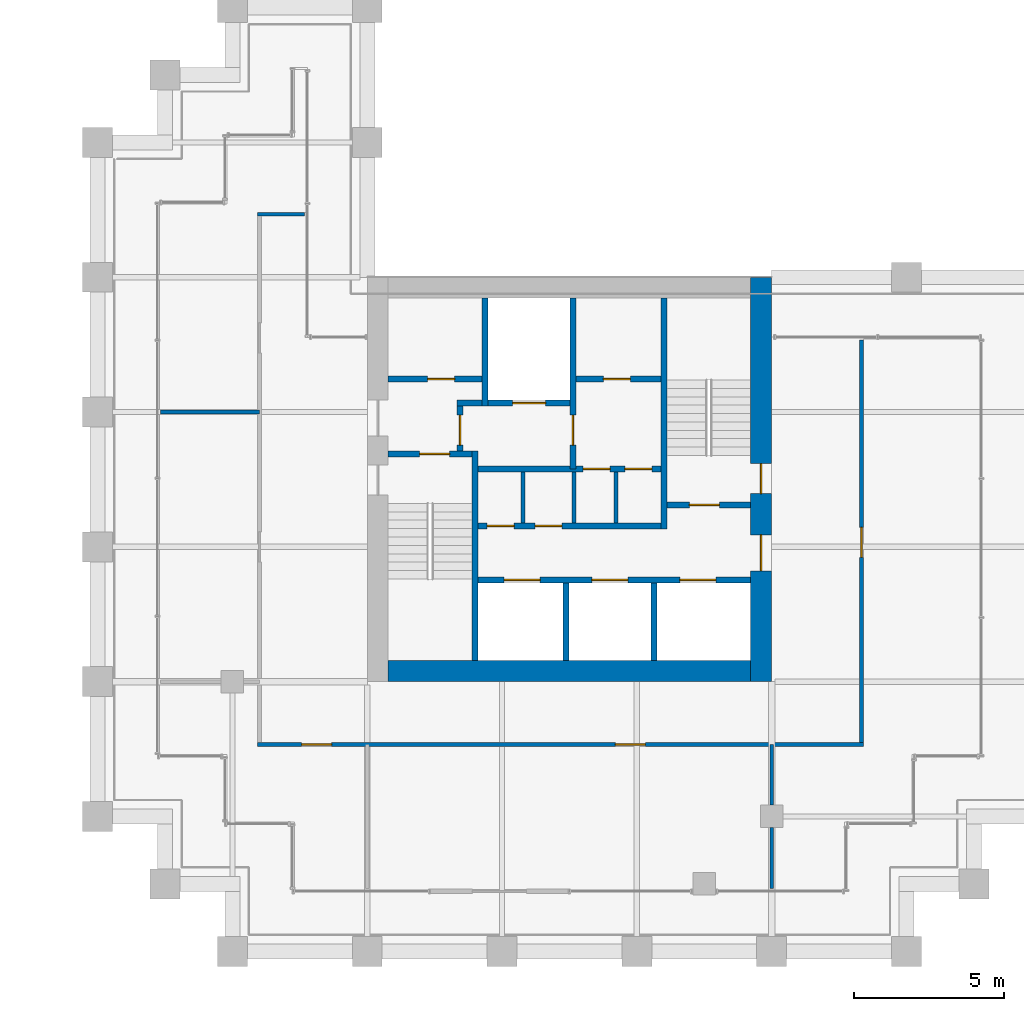
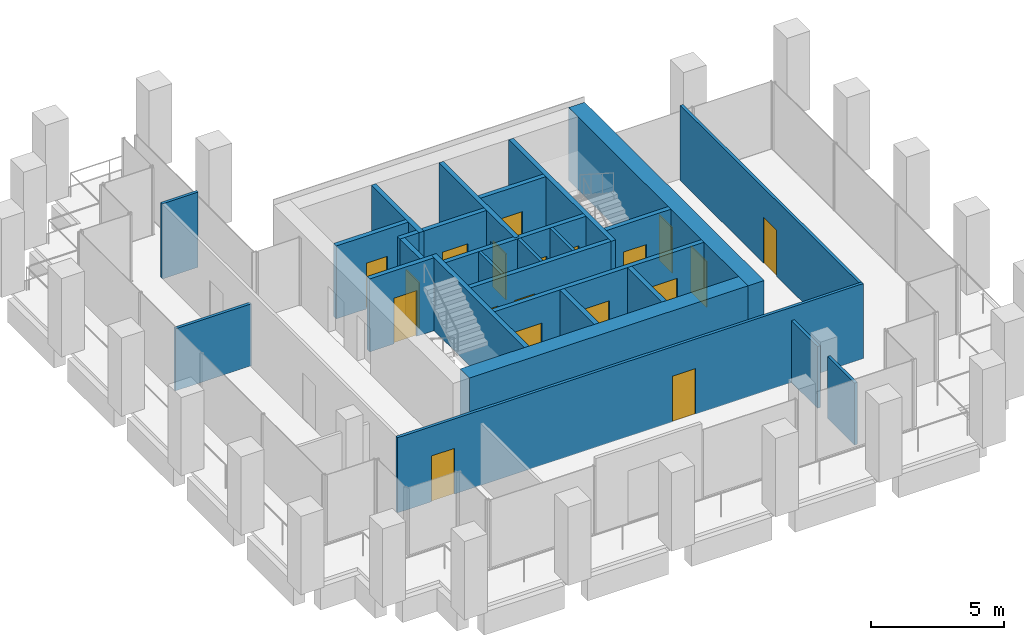
# One storey, part 43 of 46: 27 walls, 19 doors, 19 openings.
"""IFC4 building model written with IfcOpenShell, lengths in metres."""

from ifc_helpers import new_model, si_unit, direction, frame, frame_2d, origin, place, context, subcontext, project, spatial, rectangle, extrude, material, layer, layer_set, type_object, element, fill, save


model = new_model("IFC4")

# Units and contexts
model_context = context("Model", 3, precision=1e-05, world=origin(), true_north=direction((0.0, 1.0)))
body_context = subcontext(model_context, "Body", "Model", "MODEL_VIEW")
ifc_project = project(units=[si_unit("LENGTHUNIT", "METRE"), si_unit("AREAUNIT", "SQUARE_METRE"), si_unit("VOLUMEUNIT", "CUBIC_METRE"), si_unit("PLANEANGLEUNIT", "RADIAN"), si_unit("MASSUNIT", "GRAM", prefix="KILO")], contexts=[model_context])

# Site, building, storey
site_placement = place(None, origin())
site = spatial("IfcSite", under=ifc_project, at=site_placement, CompositionType="ELEMENT")
building_placement = place(site_placement, origin())
building = spatial("IfcBuilding", under=site, at=building_placement, Name="Altepetl Exchange Towers", CompositionType="ELEMENT")
storey_placement = place(building_placement, frame((0.0, 0.0, 102.800048828125)))
storey = spatial("IfcBuildingStorey", under=building, at=storey_placement, Name="L25", CompositionType="ELEMENT", Elevation=102.800048828125)

# Wall, openings, doors
ifc_material_1 = material(Name="Concrete C70/85", Category="concrete")
ifc_layer_1 = layer(ifc_material_1, 0.699951171875)
ifc_layer_set_1 = layer_set([ifc_layer_1], Name="Concrete C70/85")
wall_type_1 = type_object("IfcWallType", Name="Core wall 700 reinforced concrete", PredefinedType="SHEAR", material=ifc_layer_set_1)
wall_1_placement = place(storey_placement, frame((116.64990234375, 36.0, 0.0), z_axis=(0.0, 0.0, 1.0), x_axis=(0.0, 1.0, 0.0)))
wall_1 = element("IfcWall", 1, at=wall_1_placement, inside=storey, type_object=wall_type_1, Name="wall:B:L25:K-coreE", PredefinedType="SHEAR", context=body_context, shape_type="SweptSolid", body=[
    extrude(rectangle(XDim=13.5, YDim=0.699951171875, at=frame_2d((6.75, 0.0))), origin(), (0.0, 0.0, 1.0), 3.349853515625),
])
opening_1_placement = place(wall_1_placement, frame((3.699951171875, 0.0, 0.0)))
opening_1 = element("IfcOpeningElement", 2, at=opening_1_placement, cuts=wall_1, Name="Opening L25.B61", PredefinedType="OPENING", context=body_context, shape_type="SweptSolid", body=[
    extrude(rectangle(XDim=1.199951171875, YDim=2.10009765625, at=frame_2d((0.60009765625, 1.050048828125))), frame((0.0, 0.35986328125, 0.0), z_axis=(0.0, -1.0, 0.0), x_axis=(1.0, 0.0, 0.0)), (0.0, 0.0, 1.0), 0.719970703125),
])
opening_2_placement = place(wall_1_placement, frame((6.27490234375, 0.0, 0.0)))
opening_2 = element("IfcOpeningElement", 3, at=opening_2_placement, cuts=wall_1, Name="Opening L25.B65", PredefinedType="OPENING", context=body_context, shape_type="SweptSolid", body=[
    extrude(rectangle(XDim=1.0, YDim=2.10009765625, at=frame_2d((0.5, 1.050048828125))), frame((0.0, 0.35986328125, 0.0), z_axis=(0.0, -1.0, 0.0), x_axis=(1.0, 0.0, 0.0)), (0.0, 0.0, 1.0), 0.719970703125),
])
ifc_material_2 = material(Name="Steel and timber fire door", Category="steel")
door_type_1 = type_object("IfcDoorType", Name="Fire door 1000 x 2100 stair and lobby", OperationType="SINGLE_SWING_LEFT", PredefinedType="DOOR", material=ifc_material_2)
door_1_placement = place(opening_2_placement, origin())
door_1 = element("IfcDoor", 4, at=door_1_placement, inside=storey, type_object=door_type_1, Name="door:B:L25:K-dS2x", OperationType="SINGLE_SWING_LEFT", OverallHeight=2.10009765625, OverallWidth=1.0, PredefinedType="DOOR", context=body_context, shape_type="SweptSolid", body=[
    extrude(rectangle(XDim=1.0, YDim=2.10009765625, at=frame_2d((0.5, 1.050048828125))), frame((0.0, 0.02490234375, 0.0), z_axis=(0.0, -1.0, 0.0), x_axis=(1.0, 0.0, 0.0)), (0.0, 0.0, 1.0), 0.050048828125),
])
fill(opening_2, door_1)
door_type_2 = type_object("IfcDoorType", Name="Fire door 1200 x 2100 lobby entry", OperationType="SINGLE_SWING_LEFT", PredefinedType="DOOR", material=ifc_material_2)
door_2_placement = place(opening_1_placement, origin())
door_2 = element("IfcDoor", 5, at=door_2_placement, inside=storey, type_object=door_type_2, Name="door:B:L25:K-dLSE", OperationType="SINGLE_SWING_RIGHT", OverallHeight=2.10009765625, OverallWidth=1.199951171875, PredefinedType="DOOR", context=body_context, shape_type="SweptSolid", body=[
    extrude(rectangle(XDim=1.199951171875, YDim=2.10009765625, at=frame_2d((0.60009765625, 1.050048828125))), frame((0.0, 0.02490234375, 0.0), z_axis=(0.0, -1.0, 0.0), x_axis=(1.0, 0.0, 0.0)), (0.0, 0.0, 1.0), 0.050048828125),
])
fill(opening_1, door_2)

# Walls
wall_2_placement = place(storey_placement, frame((104.199951171875, 36.35009765625, 0.0)))
element("IfcWall", 6, at=wall_2_placement, inside=storey, type_object=wall_type_1, Name="wall:B:L25:K-coreS", PredefinedType="SHEAR", context=body_context, shape_type="SweptSolid", body=[
    extrude(rectangle(XDim=12.10009765625, YDim=0.699951171875, at=frame_2d((6.050048828125, 0.0))), origin(), (0.0, 0.0, 1.0), 3.349853515625),
])
ifc_material_3 = material(Name="Concrete blockwork", Category="masonry")
ifc_layer_2 = layer(ifc_material_3, 0.199951171875)
ifc_layer_set_2 = layer_set([ifc_layer_2], Name="Concrete blockwork")
wall_type_2 = type_object("IfcWallType", Name="Lobby wall 200 blockwork", PredefinedType="PARTITIONING", material=ifc_layer_set_2)
wall_3_placement = place(storey_placement, frame((106.5, 45.300048828125, 0.0)))
element("IfcWall", 7, at=wall_3_placement, inside=storey, type_object=wall_type_2, Name="wall:B:L25:K-ffNw", PredefinedType="PARTITIONING", context=body_context, shape_type="SweptSolid", body=[
    extrude(rectangle(XDim=0.833251953125, YDim=0.199951171875, at=frame_2d((0.41650390625, 0.0))), origin(), (0.0, 0.0, 1.0), 3.349853515625),
])

# Wall, opening, door
wall_4_placement = place(storey_placement, frame((106.60009765625, 43.699951171875, 0.0), z_axis=(0.0, 0.0, 1.0), x_axis=(0.0, 1.0, 0.0)))
wall_4 = element("IfcWall", 8, at=wall_4_placement, inside=storey, type_object=wall_type_2, Name="wall:B:L25:K-ffW", PredefinedType="PARTITIONING", context=body_context, shape_type="SweptSolid", body=[
    extrude(rectangle(XDim=1.5, YDim=0.199951171875, at=frame_2d((0.75, 0.0))), origin(), (0.0, 0.0, 1.0), 3.349853515625),
])
opening_3_placement = place(wall_4_placement, frame((0.199951171875, 0.0, 0.0)))
opening_3 = element("IfcOpeningElement", 9, at=opening_3_placement, cuts=wall_4, Name="Opening L25.B67", PredefinedType="OPENING", context=body_context, shape_type="SweptSolid", body=[
    extrude(rectangle(XDim=1.0, YDim=2.10009765625, at=frame_2d((0.5, 1.050048828125))), frame((0.0, 0.10986328125, 0.0), z_axis=(0.0, -1.0, 0.0), x_axis=(1.0, 0.0, 0.0)), (0.0, 0.0, 1.0), 0.219970703125),
])
door_3_placement = place(opening_3_placement, frame((1.0, 0.0, 0.0), x_axis=(-1.0, 0.0, 0.0)))
door_3 = element("IfcDoor", 10, at=door_3_placement, inside=storey, type_object=door_type_1, Name="door:B:L25:K-dffW", OperationType="SINGLE_SWING_LEFT", OverallHeight=2.10009765625, OverallWidth=1.0, PredefinedType="DOOR", context=body_context, shape_type="SweptSolid", body=[
    extrude(rectangle(XDim=1.0, YDim=2.10009765625, at=frame_2d((0.5, 1.050048828125))), frame((0.0, 0.02490234375, 0.0), z_axis=(0.0, -1.0, 0.0), x_axis=(1.0, 0.0, 0.0)), (0.0, 0.0, 1.0), 0.050048828125),
])
fill(opening_3, door_3)

# Wall, openings, doors
wall_5_placement = place(storey_placement, frame((107.199951171875, 43.10009765625, 0.0)))
wall_5 = element("IfcWall", 11, at=wall_5_placement, inside=storey, type_object=wall_type_2, Name="wall:B:L25:K-zoneN", PredefinedType="PARTITIONING", context=body_context, shape_type="SweptSolid", body=[
    extrude(rectangle(XDim=6.10009765625, YDim=0.199951171875, at=frame_2d((3.050048828125, 0.0))), origin(), (0.0, 0.0, 1.0), 3.349853515625),
])
opening_4_placement = place(wall_5_placement, frame((3.508544921875, 0.0, 0.0)))
opening_4 = element("IfcOpeningElement", 12, at=opening_4_placement, cuts=wall_5, Name="Opening L25.B72", PredefinedType="OPENING", context=body_context, shape_type="SweptSolid", body=[
    extrude(rectangle(XDim=0.89990234375, YDim=2.10009765625, at=frame_2d((0.449951171875, 1.050048828125))), frame((0.0, 0.10986328125, 0.0), z_axis=(0.0, -1.0, 0.0), x_axis=(1.0, 0.0, 0.0)), (0.0, 0.0, 1.0), 0.219970703125),
])
opening_5_placement = place(wall_5_placement, frame((4.89990234375, 0.0, 0.0)))
opening_5 = element("IfcOpeningElement", 13, at=opening_5_placement, cuts=wall_5, Name="Opening L25.B73", PredefinedType="OPENING", context=body_context, shape_type="SweptSolid", body=[
    extrude(rectangle(XDim=0.89990234375, YDim=2.10009765625, at=frame_2d((0.449951171875, 1.050048828125))), frame((0.0, 0.10986328125, 0.0), z_axis=(0.0, -1.0, 0.0), x_axis=(1.0, 0.0, 0.0)), (0.0, 0.0, 1.0), 0.219970703125),
])
door_type_3 = type_object("IfcDoorType", Name="Fire door 900 x 2100 service room", OperationType="SINGLE_SWING_LEFT", PredefinedType="DOOR", material=ifc_material_2)
door_4_placement = place(opening_4_placement, frame((0.89990234375, 0.0, 0.0), x_axis=(-1.0, 0.0, 0.0)))
door_4 = element("IfcDoor", 14, at=door_4_placement, inside=storey, type_object=door_type_3, Name="door:B:L25:K-dz3", OperationType="SINGLE_SWING_RIGHT", OverallHeight=2.10009765625, OverallWidth=0.89990234375, PredefinedType="DOOR", context=body_context, shape_type="SweptSolid", body=[
    extrude(rectangle(XDim=0.89990234375, YDim=2.10009765625, at=frame_2d((0.449951171875, 1.050048828125))), frame((0.0, 0.02490234375, 0.0), z_axis=(0.0, -1.0, 0.0), x_axis=(1.0, 0.0, 0.0)), (0.0, 0.0, 1.0), 0.050048828125),
])
fill(opening_4, door_4)
door_5_placement = place(opening_5_placement, frame((0.89990234375, 0.0, 0.0), x_axis=(-1.0, 0.0, 0.0)))
door_5 = element("IfcDoor", 15, at=door_5_placement, inside=storey, type_object=door_type_3, Name="door:B:L25:K-dz4", OperationType="SINGLE_SWING_RIGHT", OverallHeight=2.10009765625, OverallWidth=0.89990234375, PredefinedType="DOOR", context=body_context, shape_type="SweptSolid", body=[
    extrude(rectangle(XDim=0.89990234375, YDim=2.10009765625, at=frame_2d((0.449951171875, 1.050048828125))), frame((0.0, 0.02490234375, 0.0), z_axis=(0.0, -1.0, 0.0), x_axis=(1.0, 0.0, 0.0)), (0.0, 0.0, 1.0), 0.050048828125),
])
fill(opening_5, door_5)

wall_6_placement = place(storey_placement, frame((107.199951171875, 41.199951171875, 0.0)))
wall_6 = element("IfcWall", 16, at=wall_6_placement, inside=storey, type_object=wall_type_2, Name="wall:B:L25:K-zoneS", PredefinedType="PARTITIONING", context=body_context, shape_type="SweptSolid", body=[
    extrude(rectangle(XDim=6.10009765625, YDim=0.199951171875, at=frame_2d((3.050048828125, 0.0))), origin(), (0.0, 0.0, 1.0), 3.349853515625),
])
opening_6_placement = place(wall_6_placement, frame((0.300048828125, 0.0, 0.0)))
opening_6 = element("IfcOpeningElement", 17, at=opening_6_placement, cuts=wall_6, Name="Opening L25.B70", PredefinedType="OPENING", context=body_context, shape_type="SweptSolid", body=[
    extrude(rectangle(XDim=0.89990234375, YDim=2.10009765625, at=frame_2d((0.449951171875, 1.050048828125))), frame((0.0, 0.10986328125, 0.0), z_axis=(0.0, -1.0, 0.0), x_axis=(1.0, 0.0, 0.0)), (0.0, 0.0, 1.0), 0.219970703125),
])
opening_7_placement = place(wall_6_placement, frame((1.89990234375, 0.0, 0.0)))
opening_7 = element("IfcOpeningElement", 18, at=opening_7_placement, cuts=wall_6, Name="Opening L25.B71", PredefinedType="OPENING", context=body_context, shape_type="SweptSolid", body=[
    extrude(rectangle(XDim=0.89990234375, YDim=2.10009765625, at=frame_2d((0.449951171875, 1.050048828125))), frame((0.0, 0.10986328125, 0.0), z_axis=(0.0, -1.0, 0.0), x_axis=(1.0, 0.0, 0.0)), (0.0, 0.0, 1.0), 0.219970703125),
])
door_6_placement = place(opening_6_placement, origin())
door_6 = element("IfcDoor", 19, at=door_6_placement, inside=storey, type_object=door_type_3, Name="door:B:L25:K-dz1", OperationType="SINGLE_SWING_RIGHT", OverallHeight=2.10009765625, OverallWidth=0.89990234375, PredefinedType="DOOR", context=body_context, shape_type="SweptSolid", body=[
    extrude(rectangle(XDim=0.89990234375, YDim=2.10009765625, at=frame_2d((0.449951171875, 1.050048828125))), frame((0.0, 0.02490234375, 0.0), z_axis=(0.0, -1.0, 0.0), x_axis=(1.0, 0.0, 0.0)), (0.0, 0.0, 1.0), 0.050048828125),
])
fill(opening_6, door_6)
door_7_placement = place(opening_7_placement, origin())
door_7 = element("IfcDoor", 20, at=door_7_placement, inside=storey, type_object=door_type_3, Name="door:B:L25:K-dz2", OperationType="SINGLE_SWING_RIGHT", OverallHeight=2.10009765625, OverallWidth=0.89990234375, PredefinedType="DOOR", context=body_context, shape_type="SweptSolid", body=[
    extrude(rectangle(XDim=0.89990234375, YDim=2.10009765625, at=frame_2d((0.449951171875, 1.050048828125))), frame((0.0, 0.02490234375, 0.0), z_axis=(0.0, -1.0, 0.0), x_axis=(1.0, 0.0, 0.0)), (0.0, 0.0, 1.0), 0.050048828125),
])
fill(opening_7, door_7)

# Walls
ifc_material_4 = material(Name="Timber panels on aluminium track", Category="wood")
ifc_layer_3 = layer(ifc_material_4, 0.125)
ifc_layer_set_3 = layer_set([ifc_layer_3], Name="Timber panels on aluminium track")
wall_type_3 = type_object("IfcWallType", Name="Operable acoustic partition 125", PredefinedType="MOVABLE", material=ifc_layer_set_3)
wall_7_placement = place(storey_placement, frame((96.60009765625, 45.0, 0.0)))
element("IfcWall", 21, at=wall_7_placement, inside=storey, type_object=wall_type_3, Name="wall:B:L25:P04", PredefinedType="MOVABLE", context=body_context, shape_type="SweptSolid", body=[
    extrude(rectangle(XDim=3.2998046875, YDim=0.125, at=frame_2d((1.64990234375, 0.0))), origin(), (0.0, 0.0, 1.0), 2.850830078125),
])
ifc_material_5 = material(Name="Gypsum board on steel studs", Category="steel")
ifc_layer_4 = layer(ifc_material_5, 0.125)
ifc_layer_set_4 = layer_set([ifc_layer_4], Name="Gypsum board on steel studs")
wall_type_4 = type_object("IfcWallType", Name="Partition 125 gypsum board on steel studs", PredefinedType="PARTITIONING", material=ifc_layer_set_4)
for number, where, z_axis, x_axis, name in (
    (22, (108.699951171875, 41.300048828125, 0.0), (0.0, 0.0, 1.0), (0.0, 1.0, 0.0), "wall:B:L25:K-zp1"),
    (23, (110.39990234375, 41.300048828125, 0.0), (0.0, 0.0, 1.0), (0.0, 1.0, 0.0), "wall:B:L25:K-zp2"),
    (24, (111.800048828125, 41.300048828125, 0.0), (0.0, 0.0, 1.0), (0.0, 1.0, 0.0), "wall:B:L25:K-zp3"),
):
    element("IfcWall", number, at=place(storey_placement, frame(where, z_axis=z_axis, x_axis=x_axis)), inside=storey, type_object=wall_type_4, Name=name, PredefinedType="PARTITIONING", context=body_context, shape_type="SweptSolid", body=[
        extrude(rectangle(XDim=1.699951171875, YDim=0.125, at=frame_2d((0.85009765625, 0.0))), origin(), (0.0, 0.0, 1.0), 3.349853515625),
    ])

# Wall, openings, doors
wall_8_placement = place(storey_placement, frame((99.83740234375, 33.89990234375, 0.0)))
wall_8 = element("IfcWall", 25, at=wall_8_placement, inside=storey, type_object=wall_type_4, Name="wall:B:L25:P01", PredefinedType="PARTITIONING", context=body_context, shape_type="SweptSolid", body=[
    extrude(rectangle(XDim=20.22509765625, YDim=0.125, at=frame_2d((10.112548828125, 0.0))), origin(), (0.0, 0.0, 1.0), 3.449951171875),
])
opening_8_placement = place(wall_8_placement, frame((1.470458984375, 0.0, 0.0)))
opening_8 = element("IfcOpeningElement", 26, at=opening_8_placement, cuts=wall_8, Name="Opening L25.B02", PredefinedType="OPENING", context=body_context, shape_type="SweptSolid", body=[
    extrude(rectangle(XDim=1.0, YDim=2.10009765625, at=frame_2d((0.5, 1.050048828125))), frame((0.0, 0.072509765625, 0.0), z_axis=(0.0, -1.0, 0.0), x_axis=(1.0, 0.0, 0.0)), (0.0, 0.0, 1.0), 0.14501953125),
])
opening_9_placement = place(wall_8_placement, frame((11.9423828125, 0.0, 0.0)))
opening_9 = element("IfcOpeningElement", 27, at=opening_9_placement, cuts=wall_8, Name="Opening L25.B03", PredefinedType="OPENING", context=body_context, shape_type="SweptSolid", body=[
    extrude(rectangle(XDim=1.0, YDim=2.10009765625, at=frame_2d((0.5, 1.050048828125))), frame((0.0, 0.072509765625, 0.0), z_axis=(0.0, -1.0, 0.0), x_axis=(1.0, 0.0, 0.0)), (0.0, 0.0, 1.0), 0.14501953125),
])
door_type_4 = type_object("IfcDoorType", Name="Fire door 1000 x 2100 single leaf", OperationType="SINGLE_SWING_LEFT", PredefinedType="DOOR", material=ifc_material_2)
door_8_placement = place(opening_8_placement, frame((1.0, 0.0, 0.0), x_axis=(-1.0, 0.0, 0.0)))
door_8 = element("IfcDoor", 28, at=door_8_placement, inside=storey, type_object=door_type_4, Name="door:B:L25:02", OperationType="SINGLE_SWING_RIGHT", OverallHeight=2.10009765625, OverallWidth=1.0, PredefinedType="DOOR", context=body_context, shape_type="SweptSolid", body=[
    extrude(rectangle(XDim=1.0, YDim=2.10009765625, at=frame_2d((0.5, 1.050048828125))), frame((0.0, 0.02490234375, 0.0), z_axis=(0.0, -1.0, 0.0), x_axis=(1.0, 0.0, 0.0)), (0.0, 0.0, 1.0), 0.050048828125),
])
fill(opening_8, door_8)
door_9_placement = place(opening_9_placement, frame((1.0, 0.0, 0.0), x_axis=(-1.0, 0.0, 0.0)))
door_9 = element("IfcDoor", 29, at=door_9_placement, inside=storey, type_object=door_type_4, Name="door:B:L25:03", OperationType="SINGLE_SWING_RIGHT", OverallHeight=2.10009765625, OverallWidth=1.0, PredefinedType="DOOR", context=body_context, shape_type="SweptSolid", body=[
    extrude(rectangle(XDim=1.0, YDim=2.10009765625, at=frame_2d((0.5, 1.050048828125))), frame((0.0, 0.02490234375, 0.0), z_axis=(0.0, -1.0, 0.0), x_axis=(1.0, 0.0, 0.0)), (0.0, 0.0, 1.0), 0.050048828125),
])
fill(opening_9, door_9)

# Walls
wall_9_placement = place(storey_placement, frame((99.83740234375, 51.60009765625, 0.0)))
element("IfcWall", 30, at=wall_9_placement, inside=storey, type_object=wall_type_4, Name="wall:B:L25:P05", PredefinedType="PARTITIONING", context=body_context, shape_type="SweptSolid", body=[
    extrude(rectangle(XDim=1.5625, YDim=0.125, at=frame_2d((0.78125, 0.0))), origin(), (0.0, 0.0, 1.0), 3.449951171875),
])
for number, where, z_axis, x_axis, name in (
    (31, (117.0, 29.10009765625, 0.0), (0.0, 0.0, 1.0), (0.0, 1.0, 0.0), "wall:B:L25:P08"),
    (32, (117.0, 31.875, 0.0), (0.0, 0.0, 1.0), (0.0, 1.0, 0.0), "wall:B:L25:P09"),
):
    element("IfcWall", number, at=place(storey_placement, frame(where, z_axis=z_axis, x_axis=x_axis)), inside=storey, type_object=wall_type_4, Name=name, PredefinedType="PARTITIONING", context=body_context, shape_type="SweptSolid", body=[
        extrude(rectangle(XDim=2.02490234375, YDim=0.125, at=frame_2d((1.012451171875, 0.0))), origin(), (0.0, 0.0, 1.0), 2.842041015625),
    ])

# Wall, opening, door
wall_10_placement = place(storey_placement, frame((120.0, 33.96240234375, 0.0), z_axis=(0.0, 0.0, 1.0), x_axis=(0.0, 1.0, 0.0)))
wall_10 = element("IfcWall", 33, at=wall_10_placement, inside=storey, type_object=wall_type_4, Name="wall:B:L25:P10", PredefinedType="PARTITIONING", context=body_context, shape_type="SweptSolid", body=[
    extrude(rectangle(XDim=13.4375, YDim=0.125, at=frame_2d((6.71875, 0.0))), origin(), (0.0, 0.0, 1.0), 3.449951171875),
])
opening_10_placement = place(wall_10_placement, frame((6.1875, 0.0, 0.0)))
opening_10 = element("IfcOpeningElement", 34, at=opening_10_placement, cuts=wall_10, Name="Opening L25.B04", PredefinedType="OPENING", context=body_context, shape_type="SweptSolid", body=[
    extrude(rectangle(XDim=1.0, YDim=2.10009765625, at=frame_2d((0.5, 1.050048828125))), frame((0.0, 0.072509765625, 0.0), z_axis=(0.0, -1.0, 0.0), x_axis=(1.0, 0.0, 0.0)), (0.0, 0.0, 1.0), 0.14501953125),
])
door_10_placement = place(opening_10_placement, frame((1.0, 0.0, 0.0), x_axis=(-1.0, 0.0, 0.0)))
door_10 = element("IfcDoor", 35, at=door_10_placement, inside=storey, type_object=door_type_4, Name="door:B:L25:04", OperationType="SINGLE_SWING_LEFT", OverallHeight=2.10009765625, OverallWidth=1.0, PredefinedType="DOOR", context=body_context, shape_type="SweptSolid", body=[
    extrude(rectangle(XDim=1.0, YDim=2.10009765625, at=frame_2d((0.5, 1.050048828125))), frame((0.0, 0.02490234375, 0.0), z_axis=(0.0, -1.0, 0.0), x_axis=(1.0, 0.0, 0.0)), (0.0, 0.0, 1.0), 0.050048828125),
])
fill(opening_10, door_10)

# Wall
ifc_material_6 = material(Name="Concrete C40/50", Category="concrete")
ifc_layer_5 = layer(ifc_material_6, 0.199951171875)
ifc_layer_set_5 = layer_set([ifc_layer_5], Name="Concrete C40/50")
wall_type_5 = type_object("IfcWallType", Name="Shaft wall 200 reinforced concrete", PredefinedType="SHEAR", material=ifc_layer_set_5)
wall_11_placement = place(storey_placement, frame((107.433349609375, 48.800048828125, 0.0), z_axis=(0.0, 0.0, 1.0), x_axis=(0.0, -1.0, 0.0)))
element("IfcWall", 36, at=wall_11_placement, inside=storey, type_object=wall_type_5, Name="wall:B:L25:K-divN1", PredefinedType="SHEAR", context=body_context, shape_type="SweptSolid", body=[
    extrude(rectangle(XDim=3.60009765625, YDim=0.199951171875, at=frame_2d((1.800048828125, 0.0))), origin(), (0.0, 0.0, 1.0), 3.349853515625),
])

# Wall, opening, door
wall_12_placement = place(storey_placement, frame((110.36669921875, 48.800048828125, 0.0), z_axis=(0.0, 0.0, 1.0), x_axis=(0.0, -1.0, 0.0)))
wall_12 = element("IfcWall", 37, at=wall_12_placement, inside=storey, type_object=wall_type_5, Name="wall:B:L25:K-divN2", PredefinedType="SHEAR", context=body_context, shape_type="SweptSolid", body=[
    extrude(rectangle(XDim=5.699951171875, YDim=0.199951171875, at=frame_2d((2.85009765625, 0.0))), origin(), (0.0, 0.0, 1.0), 3.349853515625),
])
opening_11_placement = place(wall_12_placement, frame((3.89990234375, 0.0, 0.0)))
opening_11 = element("IfcOpeningElement", 38, at=opening_11_placement, cuts=wall_12, Name="Opening L25.B66", PredefinedType="OPENING", context=body_context, shape_type="SweptSolid", body=[
    extrude(rectangle(XDim=1.0, YDim=2.10009765625, at=frame_2d((0.5, 1.050048828125))), frame((0.0, 0.10986328125, 0.0), z_axis=(0.0, -1.0, 0.0), x_axis=(1.0, 0.0, 0.0)), (0.0, 0.0, 1.0), 0.219970703125),
])
door_11_placement = place(opening_11_placement, frame((1.0, 0.0, 0.0), x_axis=(-1.0, 0.0, 0.0)))
door_11 = element("IfcDoor", 39, at=door_11_placement, inside=storey, type_object=door_type_1, Name="door:B:L25:K-dffE", OperationType="SINGLE_SWING_RIGHT", OverallHeight=2.10009765625, OverallWidth=1.0, PredefinedType="DOOR", context=body_context, shape_type="SweptSolid", body=[
    extrude(rectangle(XDim=1.0, YDim=2.10009765625, at=frame_2d((0.5, 1.050048828125))), frame((0.0, 0.02490234375, 0.0), z_axis=(0.0, -1.0, 0.0), x_axis=(1.0, 0.0, 0.0)), (0.0, 0.0, 1.0), 0.050048828125),
])
fill(opening_11, door_11)

# Walls
for number, where, z_axis, x_axis, name in (
    (40, (110.13330078125, 36.699951171875, 0.0), (0.0, 0.0, 1.0), (0.0, 1.0, 0.0), "wall:B:L25:K-divS1"),
    (41, (113.066650390625, 36.699951171875, 0.0), (0.0, 0.0, 1.0), (0.0, 1.0, 0.0), "wall:B:L25:K-divS2"),
):
    element("IfcWall", number, at=place(storey_placement, frame(where, z_axis=z_axis, x_axis=x_axis)), inside=storey, type_object=wall_type_5, Name=name, PredefinedType="SHEAR", context=body_context, shape_type="SweptSolid", body=[
        extrude(rectangle(XDim=2.60009765625, YDim=0.199951171875, at=frame_2d((1.300048828125, 0.0))), origin(), (0.0, 0.0, 1.0), 3.349853515625),
    ])

# Wall, opening, door
wall_13_placement = place(storey_placement, frame((104.199951171875, 46.10009765625, 0.0)))
wall_13 = element("IfcWall", 42, at=wall_13_placement, inside=storey, type_object=wall_type_5, Name="wall:B:L25:K-frontNa", PredefinedType="SHEAR", context=body_context, shape_type="SweptSolid", body=[
    extrude(rectangle(XDim=3.13330078125, YDim=0.199951171875, at=frame_2d((1.566650390625, 0.0))), origin(), (0.0, 0.0, 1.0), 3.349853515625),
])
opening_12_placement = place(wall_13_placement, frame((1.316650390625, 0.0, 0.0)))
opening_12 = element("IfcOpeningElement", 43, at=opening_12_placement, cuts=wall_13, Name="Opening L25.B68", PredefinedType="OPENING", context=body_context, shape_type="SweptSolid", body=[
    extrude(rectangle(XDim=0.89990234375, YDim=2.10009765625, at=frame_2d((0.449951171875, 1.050048828125))), frame((0.0, 0.10986328125, 0.0), z_axis=(0.0, -1.0, 0.0), x_axis=(1.0, 0.0, 0.0)), (0.0, 0.0, 1.0), 0.219970703125),
])
door_12_placement = place(opening_12_placement, origin())
door_12 = element("IfcDoor", 44, at=door_12_placement, inside=storey, type_object=door_type_3, Name="door:B:L25:K-dslotN0", OperationType="SINGLE_SWING_RIGHT", OverallHeight=2.10009765625, OverallWidth=0.89990234375, PredefinedType="DOOR", context=body_context, shape_type="SweptSolid", body=[
    extrude(rectangle(XDim=0.89990234375, YDim=2.10009765625, at=frame_2d((0.449951171875, 1.050048828125))), frame((0.0, 0.02490234375, 0.0), z_axis=(0.0, -1.0, 0.0), x_axis=(1.0, 0.0, 0.0)), (0.0, 0.0, 1.0), 0.050048828125),
])
fill(opening_12, door_12)

wall_14_placement = place(storey_placement, frame((110.466796875, 46.10009765625, 0.0)))
wall_14 = element("IfcWall", 45, at=wall_14_placement, inside=storey, type_object=wall_type_5, Name="wall:B:L25:K-frontNb", PredefinedType="SHEAR", context=body_context, shape_type="SweptSolid", body=[
    extrude(rectangle(XDim=2.833251953125, YDim=0.199951171875, at=frame_2d((1.41650390625, 0.0))), origin(), (0.0, 0.0, 1.0), 3.349853515625),
])
opening_13_placement = place(wall_14_placement, frame((0.91650390625, 0.0, 0.0)))
opening_13 = element("IfcOpeningElement", 46, at=opening_13_placement, cuts=wall_14, Name="Opening L25.B69", PredefinedType="OPENING", context=body_context, shape_type="SweptSolid", body=[
    extrude(rectangle(XDim=0.89990234375, YDim=2.10009765625, at=frame_2d((0.449951171875, 1.050048828125))), frame((0.0, 0.10986328125, 0.0), z_axis=(0.0, -1.0, 0.0), x_axis=(1.0, 0.0, 0.0)), (0.0, 0.0, 1.0), 0.219970703125),
])
door_13_placement = place(opening_13_placement, origin())
door_13 = element("IfcDoor", 47, at=door_13_placement, inside=storey, type_object=door_type_3, Name="door:B:L25:K-dslotN2", OperationType="SINGLE_SWING_RIGHT", OverallHeight=2.10009765625, OverallWidth=0.89990234375, PredefinedType="DOOR", context=body_context, shape_type="SweptSolid", body=[
    extrude(rectangle(XDim=0.89990234375, YDim=2.10009765625, at=frame_2d((0.449951171875, 1.050048828125))), frame((0.0, 0.02490234375, 0.0), z_axis=(0.0, -1.0, 0.0), x_axis=(1.0, 0.0, 0.0)), (0.0, 0.0, 1.0), 0.050048828125),
])
fill(opening_13, door_13)

wall_15_placement = place(storey_placement, frame((107.533203125, 45.300048828125, 0.0)))
wall_15 = element("IfcWall", 48, at=wall_15_placement, inside=storey, type_object=wall_type_5, Name="wall:B:L25:K-frontNd", PredefinedType="SHEAR", context=body_context, shape_type="SweptSolid", body=[
    extrude(rectangle(XDim=2.7333984375, YDim=0.199951171875, at=frame_2d((1.36669921875, 0.0))), origin(), (0.0, 0.0, 1.0), 3.349853515625),
])
opening_14_placement = place(wall_15_placement, frame((0.816650390625, 0.0, 0.0)))
opening_14 = element("IfcOpeningElement", 49, at=opening_14_placement, cuts=wall_15, Name="Opening L25.B74", PredefinedType="OPENING", context=body_context, shape_type="SweptSolid", body=[
    extrude(rectangle(XDim=1.10009765625, YDim=2.10009765625, at=frame_2d((0.550048828125, 1.050048828125))), frame((0.0, 0.10986328125, 0.0), z_axis=(0.0, -1.0, 0.0), x_axis=(1.0, 0.0, 0.0)), (0.0, 0.0, 1.0), 0.219970703125),
])
ifc_material_7 = material(Name="Stainless steel", Category="steel")
door_type_5 = type_object("IfcDoorType", Name="Lift landing door 1100 x 2100", OperationType="SLIDING_TO_LEFT", PredefinedType="DOOR", material=ifc_material_7)
door_14_placement = place(opening_14_placement, origin())
door_14 = element("IfcDoor", 50, at=door_14_placement, inside=storey, type_object=door_type_5, Name="Landing door FFL1", OperationType="SLIDING_TO_LEFT", OverallHeight=2.10009765625, OverallWidth=1.10009765625, PredefinedType="DOOR", context=body_context, shape_type="SweptSolid", body=[
    extrude(rectangle(XDim=1.10009765625, YDim=2.10009765625, at=frame_2d((0.550048828125, 1.050048828125))), frame((0.0, 0.02490234375, 0.0), z_axis=(0.0, -1.0, 0.0), x_axis=(1.0, 0.0, 0.0)), (0.0, 0.0, 1.0), 0.050048828125),
])
fill(opening_14, door_14)

# Wall, openings, doors
wall_16_placement = place(storey_placement, frame((107.199951171875, 39.39990234375, 0.0)))
wall_16 = element("IfcWall", 51, at=wall_16_placement, inside=storey, type_object=wall_type_5, Name="wall:B:L25:K-frontS", PredefinedType="SHEAR", context=body_context, shape_type="SweptSolid", body=[
    extrude(rectangle(XDim=9.10009765625, YDim=0.199951171875, at=frame_2d((4.550048828125, 0.0))), origin(), (0.0, 0.0, 1.0), 3.349853515625),
])
opening_15_placement = place(wall_16_placement, frame((0.86669921875, 0.0, 0.0)))
opening_15 = element("IfcOpeningElement", 52, at=opening_15_placement, cuts=wall_16, Name="Opening L25.B75", PredefinedType="OPENING", context=body_context, shape_type="SweptSolid", body=[
    extrude(rectangle(XDim=1.199951171875, YDim=2.10009765625, at=frame_2d((0.60009765625, 1.050048828125))), frame((0.0, 0.10986328125, 0.0), z_axis=(0.0, -1.0, 0.0), x_axis=(1.0, 0.0, 0.0)), (0.0, 0.0, 1.0), 0.219970703125),
])
opening_16_placement = place(wall_16_placement, frame((3.800048828125, 0.0, 0.0)))
opening_16 = element("IfcOpeningElement", 53, at=opening_16_placement, cuts=wall_16, Name="Opening L25.B76", PredefinedType="OPENING", context=body_context, shape_type="SweptSolid", body=[
    extrude(rectangle(XDim=1.199951171875, YDim=2.10009765625, at=frame_2d((0.60009765625, 1.050048828125))), frame((0.0, 0.10986328125, 0.0), z_axis=(0.0, -1.0, 0.0), x_axis=(1.0, 0.0, 0.0)), (0.0, 0.0, 1.0), 0.219970703125),
])
opening_17_placement = place(wall_16_placement, frame((6.7333984375, 0.0, 0.0)))
opening_17 = element("IfcOpeningElement", 54, at=opening_17_placement, cuts=wall_16, Name="Opening L25.B77", PredefinedType="OPENING", context=body_context, shape_type="SweptSolid", body=[
    extrude(rectangle(XDim=1.199951171875, YDim=2.10009765625, at=frame_2d((0.60009765625, 1.050048828125))), frame((0.0, 0.10986328125, 0.0), z_axis=(0.0, -1.0, 0.0), x_axis=(1.0, 0.0, 0.0)), (0.0, 0.0, 1.0), 0.219970703125),
])
door_type_6 = type_object("IfcDoorType", Name="Lift landing door 1200 x 2100", OperationType="SLIDING_TO_LEFT", PredefinedType="DOOR", material=ifc_material_7)
door_15_placement = place(opening_15_placement, origin())
door_15 = element("IfcDoor", 55, at=door_15_placement, inside=storey, type_object=door_type_6, Name="Landing door P1", OperationType="SLIDING_TO_LEFT", OverallHeight=2.10009765625, OverallWidth=1.199951171875, PredefinedType="DOOR", context=body_context, shape_type="SweptSolid", body=[
    extrude(rectangle(XDim=1.199951171875, YDim=2.10009765625, at=frame_2d((0.60009765625, 1.050048828125))), frame((0.0, 0.02490234375, 0.0), z_axis=(0.0, -1.0, 0.0), x_axis=(1.0, 0.0, 0.0)), (0.0, 0.0, 1.0), 0.050048828125),
])
fill(opening_15, door_15)
door_16_placement = place(opening_16_placement, origin())
door_16 = element("IfcDoor", 56, at=door_16_placement, inside=storey, type_object=door_type_6, Name="Landing door P2", OperationType="SLIDING_TO_LEFT", OverallHeight=2.10009765625, OverallWidth=1.199951171875, PredefinedType="DOOR", context=body_context, shape_type="SweptSolid", body=[
    extrude(rectangle(XDim=1.199951171875, YDim=2.10009765625, at=frame_2d((0.60009765625, 1.050048828125))), frame((0.0, 0.02490234375, 0.0), z_axis=(0.0, -1.0, 0.0), x_axis=(1.0, 0.0, 0.0)), (0.0, 0.0, 1.0), 0.050048828125),
])
fill(opening_16, door_16)
door_17_placement = place(opening_17_placement, origin())
door_17 = element("IfcDoor", 57, at=door_17_placement, inside=storey, type_object=door_type_6, Name="Landing door P3", OperationType="SLIDING_TO_LEFT", OverallHeight=2.10009765625, OverallWidth=1.199951171875, PredefinedType="DOOR", context=body_context, shape_type="SweptSolid", body=[
    extrude(rectangle(XDim=1.199951171875, YDim=2.10009765625, at=frame_2d((0.60009765625, 1.050048828125))), frame((0.0, 0.02490234375, 0.0), z_axis=(0.0, -1.0, 0.0), x_axis=(1.0, 0.0, 0.0)), (0.0, 0.0, 1.0), 0.050048828125),
])
fill(opening_17, door_17)

# Wall
ifc_layer_6 = layer(ifc_material_6, 0.199951171875)
ifc_layer_set_6 = layer_set([ifc_layer_6], Name="Concrete C40/50")
wall_type_6 = type_object("IfcWallType", Name="Stair wall 200 reinforced concrete", PredefinedType="SHEAR", material=ifc_layer_set_6)
wall_17_placement = place(storey_placement, frame((107.10009765625, 36.699951171875, 0.0), z_axis=(0.0, 0.0, 1.0), x_axis=(0.0, 1.0, 0.0)))
element("IfcWall", 58, at=wall_17_placement, inside=storey, type_object=wall_type_6, Name="wall:B:L25:K-stS1E", PredefinedType="SHEAR", context=body_context, shape_type="SweptSolid", body=[
    extrude(rectangle(XDim=7.0, YDim=0.199951171875, at=frame_2d((3.5, 0.0))), origin(), (0.0, 0.0, 1.0), 3.349853515625),
])

# Wall, opening, door
wall_18_placement = place(storey_placement, frame((104.199951171875, 43.60009765625, 0.0)))
wall_18 = element("IfcWall", 59, at=wall_18_placement, inside=storey, type_object=wall_type_6, Name="wall:B:L25:K-stS1N", PredefinedType="SHEAR", context=body_context, shape_type="SweptSolid", body=[
    extrude(rectangle(XDim=2.800048828125, YDim=0.199951171875, at=frame_2d((1.39990234375, 0.0))), origin(), (0.0, 0.0, 1.0), 3.349853515625),
])
opening_18_placement = place(wall_18_placement, frame((1.050048828125, 0.0, 0.0)))
opening_18 = element("IfcOpeningElement", 60, at=opening_18_placement, cuts=wall_18, Name="Opening L25.B62", PredefinedType="OPENING", context=body_context, shape_type="SweptSolid", body=[
    extrude(rectangle(XDim=1.0, YDim=2.10009765625, at=frame_2d((0.5, 1.050048828125))), frame((0.0, 0.10986328125, 0.0), z_axis=(0.0, -1.0, 0.0), x_axis=(1.0, 0.0, 0.0)), (0.0, 0.0, 1.0), 0.219970703125),
])
door_18_placement = place(opening_18_placement, frame((1.0, 0.0, 0.0), x_axis=(-1.0, 0.0, 0.0)))
door_18 = element("IfcDoor", 61, at=door_18_placement, inside=storey, type_object=door_type_1, Name="door:B:L25:K-dS1in", OperationType="SINGLE_SWING_LEFT", OverallHeight=2.10009765625, OverallWidth=1.0, PredefinedType="DOOR", context=body_context, shape_type="SweptSolid", body=[
    extrude(rectangle(XDim=1.0, YDim=2.10009765625, at=frame_2d((0.5, 1.050048828125))), frame((0.0, 0.02490234375, 0.0), z_axis=(0.0, -1.0, 0.0), x_axis=(1.0, 0.0, 0.0)), (0.0, 0.0, 1.0), 0.050048828125),
])
fill(opening_18, door_18)

wall_19_placement = place(storey_placement, frame((113.5, 41.89990234375, 0.0)))
wall_19 = element("IfcWall", 62, at=wall_19_placement, inside=storey, type_object=wall_type_6, Name="wall:B:L25:K-stS2S", PredefinedType="SHEAR", context=body_context, shape_type="SweptSolid", body=[
    extrude(rectangle(XDim=2.800048828125, YDim=0.199951171875, at=frame_2d((1.39990234375, 0.0))), origin(), (0.0, 0.0, 1.0), 3.349853515625),
])
opening_19_placement = place(wall_19_placement, frame((0.75, 0.0, 0.0)))
opening_19 = element("IfcOpeningElement", 63, at=opening_19_placement, cuts=wall_19, Name="Opening L25.B64", PredefinedType="OPENING", context=body_context, shape_type="SweptSolid", body=[
    extrude(rectangle(XDim=1.0, YDim=2.10009765625, at=frame_2d((0.5, 1.050048828125))), frame((0.0, 0.10986328125, 0.0), z_axis=(0.0, -1.0, 0.0), x_axis=(1.0, 0.0, 0.0)), (0.0, 0.0, 1.0), 0.219970703125),
])
door_19_placement = place(opening_19_placement, origin())
door_19 = element("IfcDoor", 64, at=door_19_placement, inside=storey, type_object=door_type_1, Name="door:B:L25:K-dS2in", OperationType="SINGLE_SWING_RIGHT", OverallHeight=2.10009765625, OverallWidth=1.0, PredefinedType="DOOR", context=body_context, shape_type="SweptSolid", body=[
    extrude(rectangle(XDim=1.0, YDim=2.10009765625, at=frame_2d((0.5, 1.050048828125))), frame((0.0, 0.02490234375, 0.0), z_axis=(0.0, -1.0, 0.0), x_axis=(1.0, 0.0, 0.0)), (0.0, 0.0, 1.0), 0.050048828125),
])
fill(opening_19, door_19)

# Wall
wall_20_placement = place(storey_placement, frame((113.39990234375, 41.10009765625, 0.0), z_axis=(0.0, 0.0, 1.0), x_axis=(0.0, 1.0, 0.0)))
element("IfcWall", 65, at=wall_20_placement, inside=storey, type_object=wall_type_6, Name="wall:B:L25:K-stS2W", PredefinedType="SHEAR", context=body_context, shape_type="SweptSolid", body=[
    extrude(rectangle(XDim=7.699951171875, YDim=0.199951171875, at=frame_2d((3.85009765625, 0.0))), origin(), (0.0, 0.0, 1.0), 3.349853515625),
])

save(model, "model.ifc")
